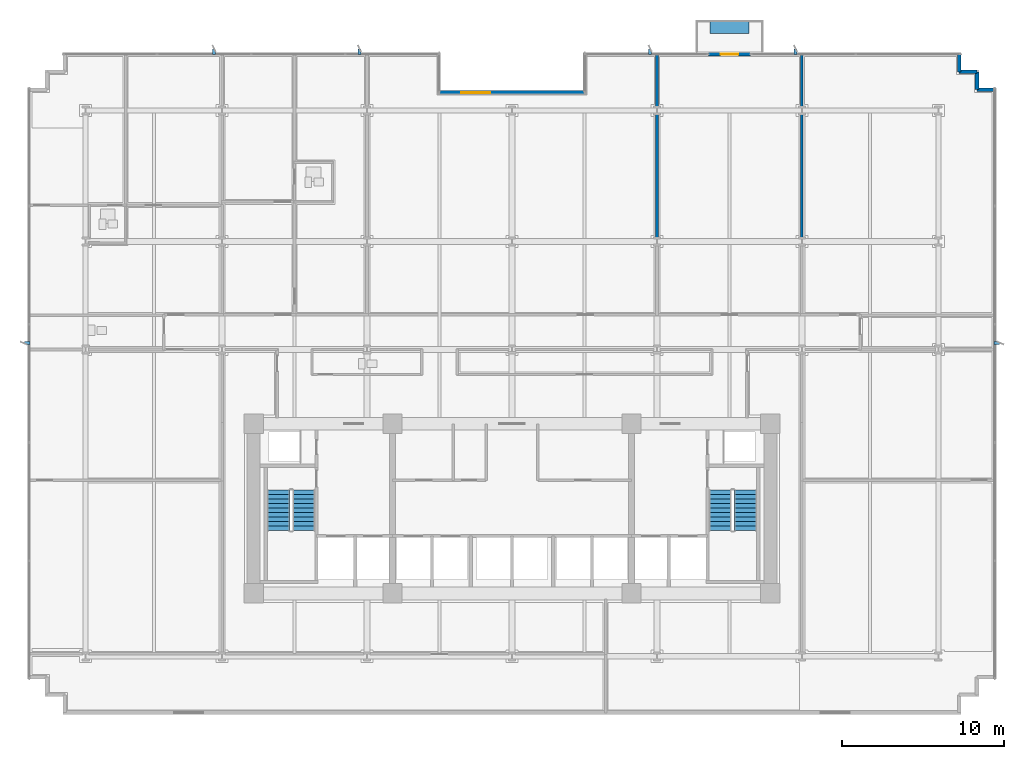
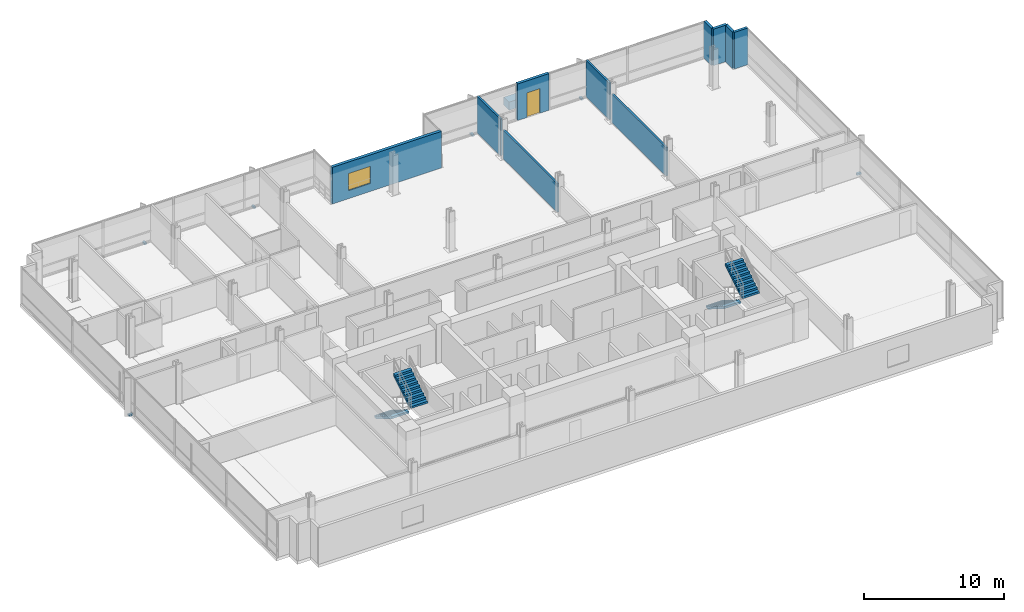
# One storey, part 15 of 20: 10 walls, 7 discrete accessories, 4 stair flights, 1 door, 1 window, 2 openings, 2 elements without a shape of their own.
"""IFC4 building model written with IfcOpenShell, lengths in metres."""

from ifc_helpers import new_model, si_unit, direction, frame, frame_2d, origin, origin_2d, place, context, subcontext, project, spatial, polyline, rectangle, outline, extrude, material, layer, layer_set, type_object, element, fill, aggregate, save


model = new_model("IFC4")

# Units and contexts
model_context = context("Model", 3, precision=1e-05, world=origin(), true_north=direction((0.0, 1.0)))
body_context = subcontext(model_context, "Body", "Model", "MODEL_VIEW")
ifc_project = project(units=[si_unit("LENGTHUNIT", "METRE"), si_unit("AREAUNIT", "SQUARE_METRE"), si_unit("VOLUMEUNIT", "CUBIC_METRE"), si_unit("PLANEANGLEUNIT", "RADIAN"), si_unit("MASSUNIT", "GRAM", prefix="KILO")], contexts=[model_context])

# Site, building, storey
site_placement = place(None, origin())
site = spatial("IfcSite", under=ifc_project, at=site_placement, CompositionType="ELEMENT")
building_placement = place(site_placement, origin())
building = spatial("IfcBuilding", under=site, at=building_placement, Name="Solmavex Isthmus Hotel", CompositionType="ELEMENT")
storey_placement = place(building_placement, frame((0.0, 0.0, 57.449951171875)))
storey = spatial("IfcBuildingStorey", under=building, at=storey_placement, Name="L15", CompositionType="ELEMENT", Elevation=57.449951171875)

# Wall, opening, window
ifc_material_1 = material(Name="Precast Concrete C40/50", Category="concrete")
ifc_layer_1 = layer(ifc_material_1, 0.25)
ifc_layer_set_1 = layer_set([ifc_layer_1], Name="Precast Concrete C40/50")
wall_type_1 = type_object("IfcWallType", Name="EW-TWR-250", PredefinedType="STANDARD", material=ifc_layer_set_1)
wall_1_placement = place(storey_placement, frame((-4.5, 18.0, 0.0), z_axis=(0.0, 0.0, 1.0), x_axis=(1.0, 0.0, 0.0)))
wall_1 = element("IfcWall", 1, at=wall_1_placement, inside=storey, type_object=wall_type_1, Name="Sky Garden Back Facade Wall L15", PredefinedType="STANDARD", context=body_context, shape_type="SweptSolid", body=[
    extrude(rectangle(XDim=9.0, YDim=0.25, at=frame_2d((4.5, 0.0))), origin(), (0.0, 0.0, 1.0), 3.18994140625),
])
opening_1_placement = place(wall_1_placement, frame((1.35009765625, 0.0, 0.699951171875)))
opening_1 = element("IfcOpeningElement", 2, at=opening_1_placement, cuts=wall_1, Name="Opening WN-02", PredefinedType="OPENING", context=body_context, shape_type="SweptSolid", body=[
    extrude(rectangle(XDim=1.800048828125, YDim=1.5, at=frame_2d((0.89990234375, 0.75))), frame((0.0, 0.135009765625, 0.0), z_axis=(0.0, -1.0, 0.0), x_axis=(1.0, 0.0, 0.0)), (0.0, 0.0, 1.0), 0.27001953125),
])
ifc_material_2 = material(Name="Clear low-E laminated glass", Category="glass")
window_type = type_object("IfcWindowType", Name="WIN-TWR-1800", PartitioningType="SINGLE_PANEL", PredefinedType="WINDOW", material=ifc_material_2)
window_placement = place(opening_1_placement, origin())
window = element("IfcWindow", 3, at=window_placement, inside=storey, type_object=window_type, Name="Sky Garden Overlook Window L15", OverallHeight=1.5, OverallWidth=1.800048828125, PartitioningType="SINGLE_PANEL", PredefinedType="WINDOW", context=body_context, shape_type="SweptSolid", body=[
    extrude(rectangle(XDim=1.800048828125, YDim=1.5, at=frame_2d((0.89990234375, 0.75))), frame((0.0, 0.030029296875, 0.0), z_axis=(0.0, -1.0, 0.0), x_axis=(1.0, 0.0, 0.0)), (0.0, 0.0, 1.0), 0.06005859375),
])
fill(opening_1, window)

# Wall, opening, door
wall_2_placement = place(storey_placement, frame((12.1640625, 20.3798828125, 0.0), z_axis=(0.0, 0.0, 1.0), x_axis=(1.0, 0.0, 0.0)))
wall_2 = element("IfcWall", 4, at=wall_2_placement, inside=storey, type_object=wall_type_1, Name="Exterior Balcony Door Wall L15-3", PredefinedType="STANDARD", context=body_context, shape_type="SweptSolid", body=[
    extrude(rectangle(XDim=2.599853515625, YDim=0.239990234375, at=frame_2d((1.2998046875, 0.0))), origin(), (0.0, 0.0, 1.0), 3.18994140625),
])
opening_2_placement = place(wall_2_placement, frame((0.75, 0.0, 0.0)))
opening_2 = element("IfcOpeningElement", 5, at=opening_2_placement, cuts=wall_2, Name="Opening ED-02", PredefinedType="OPENING", context=body_context, shape_type="SweptSolid", body=[
    extrude(rectangle(XDim=1.10009765625, YDim=2.14990234375, at=frame_2d((0.550048828125, 1.074951171875))), frame((0.0, 0.1298828125, 0.0), z_axis=(0.0, -1.0, 0.0), x_axis=(1.0, 0.0, 0.0)), (0.0, 0.0, 1.0), 0.260009765625),
])
ifc_material_3 = material(Name="Aluminium alloy 6063-T6", Category="aluminium")
door_type = type_object("IfcDoorType", Name="EDR-BALC-1100", OperationType="NOTDEFINED", PredefinedType="DOOR", material=ifc_material_3)
door_placement = place(opening_2_placement, origin())
door = element("IfcDoor", 6, at=door_placement, inside=storey, type_object=door_type, Name="Balcony & Terrace Glazed Door L15-3", OperationType="SINGLE_SWING_LEFT", OverallHeight=2.14990234375, OverallWidth=1.10009765625, PredefinedType="DOOR", context=body_context, shape_type="SweptSolid", body=[
    extrude(rectangle(XDim=1.10009765625, YDim=2.14990234375, at=frame_2d((0.550048828125, 1.074951171875))), frame((0.0, 0.02490234375, 0.0), z_axis=(0.0, -1.0, 0.0), x_axis=(1.0, 0.0, 0.0)), (0.0, 0.0, 1.0), 0.050048828125),
])
fill(opening_2, door)

# Walls
wall_3_placement = place(storey_placement, frame((27.68994140625, 20.389892578125, 0.0), z_axis=(0.0, 0.0, 1.0), x_axis=(0.0, -1.0, 0.0)))
element("IfcWall", 7, at=wall_3_placement, inside=storey, type_object=wall_type_1, Name="Serrated Corner Facade Panel L15-11", PredefinedType="STANDARD", context=body_context, shape_type="SweptSolid", body=[
    extrude(rectangle(XDim=1.099853515625, YDim=0.219970703125, at=frame_2d((0.5498046875, 0.0))), origin(), (0.0, 0.0, 1.0), 3.18994140625),
])
for number, where, z_axis, x_axis, name in (
    (8, (27.68994140625, 19.2900390625, 0.0), (0.0, 0.0, 1.0), (1.0, 0.0, 0.0), "Serrated Corner Facade Panel L15-12"),
    (9, (28.7900390625, 19.2900390625, 0.0), (0.0, 0.0, 1.0), (0.0, -1.0, 0.0), "Serrated Corner Facade Panel L15-13"),
):
    element("IfcWall", number, at=place(storey_placement, frame(where, z_axis=z_axis, x_axis=x_axis)), inside=storey, type_object=wall_type_1, Name=name, PredefinedType="STANDARD", context=body_context, shape_type="SweptSolid", body=[
        extrude(rectangle(XDim=1.10009765625, YDim=0.219970703125, at=frame_2d((0.550048828125, 0.0))), origin(), (0.0, 0.0, 1.0), 3.18994140625),
    ])
wall_4_placement = place(storey_placement, frame((28.7900390625, 18.18994140625, 0.0), z_axis=(0.0, 0.0, 1.0), x_axis=(1.0, 0.0, 0.0)))
element("IfcWall", 10, at=wall_4_placement, inside=storey, type_object=wall_type_1, Name="Serrated Corner Facade Panel L15-14", PredefinedType="STANDARD", context=body_context, shape_type="SweptSolid", body=[
    extrude(rectangle(XDim=1.099853515625, YDim=0.219970703125, at=frame_2d((0.5498046875, 0.0))), origin(), (0.0, 0.0, 1.0), 3.18994140625),
])
ifc_material_4 = material(Name="Gypsum plasterboard lining", Category="gypsum")
ifc_layer_2 = layer(ifc_material_4, 0.159912109375)
ifc_layer_set_2 = layer_set([ifc_layer_2], Name="Gypsum plasterboard lining")
wall_type_2 = type_object("IfcWallType", Name="IW-COMP-160", PredefinedType="PARTITIONING", material=ifc_layer_set_2)
wall_5_placement = place(storey_placement, frame((8.97607421875, 16.72509765625, 0.0), z_axis=(0.0, 0.0, 1.0), x_axis=(0.0, -1.0, 0.0)))
element("IfcWall", 11, at=wall_5_placement, inside=storey, type_object=wall_type_2, Name="Interior Partition Wall W-L15-P052", PredefinedType="PARTITIONING", context=body_context, shape_type="SweptSolid", body=[
    extrude(rectangle(XDim=7.76220703125, YDim=0.159912109375, at=frame_2d((3.881103515625, 0.0))), origin(), (0.0, 0.0, 1.0), 2.4794921875),
])
wall_6_placement = place(storey_placement, frame((8.97607421875, 20.419921875, 0.0), z_axis=(0.0, 0.0, 1.0), x_axis=(0.0, -1.0, 0.0)))
element("IfcWall", 12, at=wall_6_placement, inside=storey, type_object=wall_type_2, Name="Interior Partition Wall W-L15-P053", PredefinedType="PARTITIONING", context=body_context, shape_type="SweptSolid", body=[
    extrude(rectangle(XDim=3.344970703125, YDim=0.159912109375, at=frame_2d((1.67236328125, 0.0))), origin(), (0.0, 0.0, 1.0), 3.18994140625),
])
wall_7_placement = place(storey_placement, frame((17.951904296875, 16.72509765625, 0.0), z_axis=(0.0, 0.0, 1.0), x_axis=(0.0, -1.0, 0.0)))
element("IfcWall", 13, at=wall_7_placement, inside=storey, type_object=wall_type_2, Name="Interior Partition Wall W-L15-P055", PredefinedType="PARTITIONING", context=body_context, shape_type="SweptSolid", body=[
    extrude(rectangle(XDim=7.76220703125, YDim=0.159912109375, at=frame_2d((3.881103515625, 0.0))), origin(), (0.0, 0.0, 1.0), 2.4794921875),
])
wall_8_placement = place(storey_placement, frame((17.951904296875, 20.419921875, 0.0), z_axis=(0.0, 0.0, 1.0), x_axis=(0.0, -1.0, 0.0)))
element("IfcWall", 14, at=wall_8_placement, inside=storey, type_object=wall_type_2, Name="Interior Partition Wall W-L15-P056", PredefinedType="PARTITIONING", context=body_context, shape_type="SweptSolid", body=[
    extrude(rectangle(XDim=3.344970703125, YDim=0.159912109375, at=frame_2d((1.67236328125, 0.0))), origin(), (0.0, 0.0, 1.0), 3.18994140625),
])

# Stair, stair flights
ifc_material_5 = material(Name="Concrete C40/50", Category="concrete")
stair_type_1 = type_object("IfcStairType", Name="STR-ST-1", PredefinedType="HALF_TURN_STAIR", material=ifc_material_5)
stair_1_placement = place(storey_placement, origin())
stair_1 = element("IfcStair", 15, at=stair_1_placement, inside=storey, type_object=stair_type_1, Name="L15 Protected Exit Stair ST-1", PredefinedType="HALF_TURN_STAIR")
stair_flight_type_1 = type_object("IfcStairFlightType", Name="SFL-ST-1", PredefinedType="STRAIGHT", material=ifc_material_5)
stair_flight_1_placement = place(storey_placement, frame((-14.449951171875, -6.60009765625, 0.0), z_axis=(0.0, 0.0, 1.0), x_axis=(0.0, -1.0, 0.0)))
stair_flight_1 = element("IfcStairFlight", 16, at=stair_flight_1_placement, type_object=stair_flight_type_1, Name="ST-1 flight 1", NumberOfRisers=10, NumberOfTreads=9, PredefinedType="STRAIGHT", RiserHeight=0.1725, TreadLength=0.28, context=body_context, shape_type="SweptSolid", body=[
    extrude(outline(polyline([(0.0, 0.0), (0.0, 0.172607421875), (0.280029296875, 0.172607421875), (0.280029296875, 0.344970703125), (0.56005859375, 0.344970703125), (0.56005859375, 0.517578125), (0.840087890625, 0.517578125), (0.840087890625, 0.68994140625), (1.1201171875, 0.68994140625), (1.1201171875, 0.862548828125), (1.39990234375, 0.862548828125), (1.39990234375, 1.034912109375), (1.679931640625, 1.034912109375), (1.679931640625, 1.20751953125), (1.9599609375, 1.20751953125), (1.9599609375, 1.3798828125), (2.239990234375, 1.3798828125), (2.239990234375, 1.552490234375), (2.52001953125, 1.552490234375), (2.52001953125, 1.72509765625), (2.52001953125, 1.37646484375), (0.285888671875, 0.0), (0.0, 0.0)])), frame((0.0, 0.699951171875, 0.0), z_axis=(0.0, -1.0, 0.0), x_axis=(1.0, 0.0, 0.0)), (0.0, 0.0, 1.0), 1.39990234375),
])
stair_flight_2_placement = place(storey_placement, frame((-12.89990234375, -9.1201171875, 1.72509765625), z_axis=(0.0, 0.0, 1.0), x_axis=(0.0, 1.0, 0.0)))
stair_flight_2 = element("IfcStairFlight", 17, at=stair_flight_2_placement, type_object=stair_flight_type_1, Name="ST-1 flight 2", NumberOfRisers=10, NumberOfTreads=9, PredefinedType="STRAIGHT", RiserHeight=0.1725, TreadLength=0.28, context=body_context, shape_type="SweptSolid", body=[
    extrude(outline(polyline([(0.0, 0.0), (0.0, 0.172607421875), (0.280029296875, 0.172607421875), (0.280029296875, 0.344970703125), (0.56005859375, 0.344970703125), (0.56005859375, 0.517578125), (0.840087890625, 0.517578125), (0.840087890625, 0.68994140625), (1.1201171875, 0.68994140625), (1.1201171875, 0.862548828125), (1.39990234375, 0.862548828125), (1.39990234375, 1.034912109375), (1.679931640625, 1.034912109375), (1.679931640625, 1.20751953125), (1.9599609375, 1.20751953125), (1.9599609375, 1.3798828125), (2.239990234375, 1.3798828125), (2.239990234375, 1.552490234375), (2.52001953125, 1.552490234375), (2.52001953125, 1.72509765625), (2.52001953125, 1.37646484375), (0.285888671875, 0.0), (0.0, 0.0)])), frame((0.0, 0.699951171875, 0.0), z_axis=(0.0, -1.0, 0.0), x_axis=(1.0, 0.0, 0.0)), (0.0, 0.0, 1.0), 1.39990234375),
])
aggregate(stair_1, [stair_flight_1, stair_flight_2])

stair_type_2 = type_object("IfcStairType", Name="STR-ST-2", PredefinedType="HALF_TURN_STAIR", material=ifc_material_5)
stair_2_placement = place(storey_placement, origin())
stair_2 = element("IfcStair", 18, at=stair_2_placement, inside=storey, type_object=stair_type_2, Name="L15 Protected Exit Stair ST-2", PredefinedType="HALF_TURN_STAIR")
stair_flight_type_2 = type_object("IfcStairFlightType", Name="SFL-ST-2", PredefinedType="STRAIGHT", material=ifc_material_5)
stair_flight_3_placement = place(storey_placement, frame((12.89990234375, -6.60009765625, 0.0), z_axis=(0.0, 0.0, 1.0), x_axis=(0.0, -1.0, 0.0)))
stair_flight_3 = element("IfcStairFlight", 19, at=stair_flight_3_placement, type_object=stair_flight_type_2, Name="ST-2 flight 1", NumberOfRisers=10, NumberOfTreads=9, PredefinedType="STRAIGHT", RiserHeight=0.1725, TreadLength=0.28, context=body_context, shape_type="SweptSolid", body=[
    extrude(outline(polyline([(0.0, 0.0), (0.0, 0.172607421875), (0.280029296875, 0.172607421875), (0.280029296875, 0.344970703125), (0.56005859375, 0.344970703125), (0.56005859375, 0.517578125), (0.840087890625, 0.517578125), (0.840087890625, 0.68994140625), (1.1201171875, 0.68994140625), (1.1201171875, 0.862548828125), (1.39990234375, 0.862548828125), (1.39990234375, 1.034912109375), (1.679931640625, 1.034912109375), (1.679931640625, 1.20751953125), (1.9599609375, 1.20751953125), (1.9599609375, 1.3798828125), (2.239990234375, 1.3798828125), (2.239990234375, 1.552490234375), (2.52001953125, 1.552490234375), (2.52001953125, 1.72509765625), (2.52001953125, 1.37646484375), (0.285888671875, 0.0), (0.0, 0.0)])), frame((0.0, 0.699951171875, 0.0), z_axis=(0.0, -1.0, 0.0), x_axis=(1.0, 0.0, 0.0)), (0.0, 0.0, 1.0), 1.39990234375),
])
stair_flight_4_placement = place(storey_placement, frame((14.449951171875, -9.1201171875, 1.72509765625), z_axis=(0.0, 0.0, 1.0), x_axis=(0.0, 1.0, 0.0)))
stair_flight_4 = element("IfcStairFlight", 20, at=stair_flight_4_placement, type_object=stair_flight_type_2, Name="ST-2 flight 2", NumberOfRisers=10, NumberOfTreads=9, PredefinedType="STRAIGHT", RiserHeight=0.1725, TreadLength=0.28, context=body_context, shape_type="SweptSolid", body=[
    extrude(outline(polyline([(0.0, 0.0), (0.0, 0.172607421875), (0.280029296875, 0.172607421875), (0.280029296875, 0.344970703125), (0.56005859375, 0.344970703125), (0.56005859375, 0.517578125), (0.840087890625, 0.517578125), (0.840087890625, 0.68994140625), (1.1201171875, 0.68994140625), (1.1201171875, 0.862548828125), (1.39990234375, 0.862548828125), (1.39990234375, 1.034912109375), (1.679931640625, 1.034912109375), (1.679931640625, 1.20751953125), (1.9599609375, 1.20751953125), (1.9599609375, 1.3798828125), (2.239990234375, 1.3798828125), (2.239990234375, 1.552490234375), (2.52001953125, 1.552490234375), (2.52001953125, 1.72509765625), (2.52001953125, 1.37646484375), (0.285888671875, 0.0), (0.0, 0.0)])), frame((0.0, 0.699951171875, 0.0), z_axis=(0.0, -1.0, 0.0), x_axis=(1.0, 0.0, 0.0)), (0.0, 0.0, 1.0), 1.39990234375),
])
aggregate(stair_2, [stair_flight_3, stair_flight_4])

# Discrete accessories
ifc_material_6 = material(Name="Steel ASTM A572 Grade 50", Category="steel")
discrete_accessory_type_1 = type_object("IfcDiscreteAccessoryType", Name="ACC-BRK-FIN", PredefinedType="BRACKET", material=ifc_material_6)
for number, where, z_axis, x_axis, name in (
    (21, (-18.449951171875, 20.52001953125, -0.169921875), (0.0, 0.0, 1.0), (0.0, 1.0, 0.0), "Facade Fin Support Bracket L15-N1"),
    (22, (-9.449951171875, 20.52001953125, -0.169921875), (0.0, 0.0, 1.0), (0.0, 1.0, 0.0), "Facade Fin Support Bracket L15-N2"),
    (23, (8.550048828125, 20.52001953125, -0.169921875), (0.0, 0.0, 1.0), (0.0, 1.0, 0.0), "Facade Fin Support Bracket L15-N3"),
    (24, (17.550048828125, 20.52001953125, -0.169921875), (0.0, 0.0, 1.0), (0.0, 1.0, 0.0), "Facade Fin Support Bracket L15-N4"),
    (25, (-30.02001953125, 2.5, -0.169921875), (0.0, 0.0, 1.0), (-1.0, 0.0, 0.0), "Facade Fin Support Bracket L15-W1"),
    (26, (30.02001953125, 2.5, -0.169921875), (0.0, 0.0, 1.0), (1.0, 0.0, 0.0), "Facade Fin Support Bracket L15-E1"),
):
    element("IfcDiscreteAccessory", number, at=place(storey_placement, frame(where, z_axis=z_axis, x_axis=x_axis)), inside=storey, type_object=discrete_accessory_type_1, Name=name, PredefinedType="BRACKET", context=body_context, shape_type="SweptSolid", body=[
        extrude(rectangle(XDim=0.340087890625, YDim=0.179931640625, at=origin_2d()), origin(), (0.0, 0.0, 1.0), 0.159912109375),
    ])
discrete_accessory_type_2 = type_object("IfcDiscreteAccessoryType", Name="ACC-PLN-BALC", PredefinedType="USERDEFINED", material=ifc_material_1)
discrete_accessory_placement = place(storey_placement, frame((13.464111328125, 22.050048828125, 0.0), z_axis=(0.0, 0.0, 1.0), x_axis=(1.0, 0.0, 0.0)))
element("IfcDiscreteAccessory", 27, at=discrete_accessory_placement, inside=storey, type_object=discrete_accessory_type_2, Name="Tree-Balcony Architectural Planter L15-B2", ObjectType="PLANTER", PredefinedType="USERDEFINED", context=body_context, shape_type="SweptSolid", body=[
    extrude(rectangle(XDim=2.39990234375, YDim=0.75, at=origin_2d()), origin(), (0.0, 0.0, 1.0), 0.699951171875),
])

save(model, "model.ifc")
